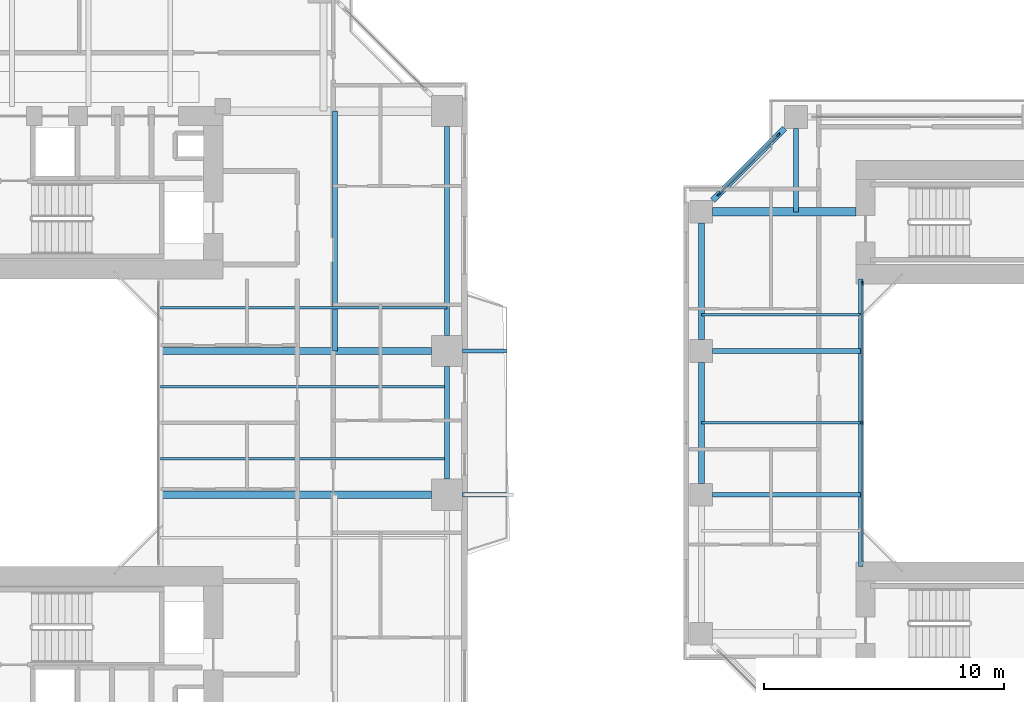
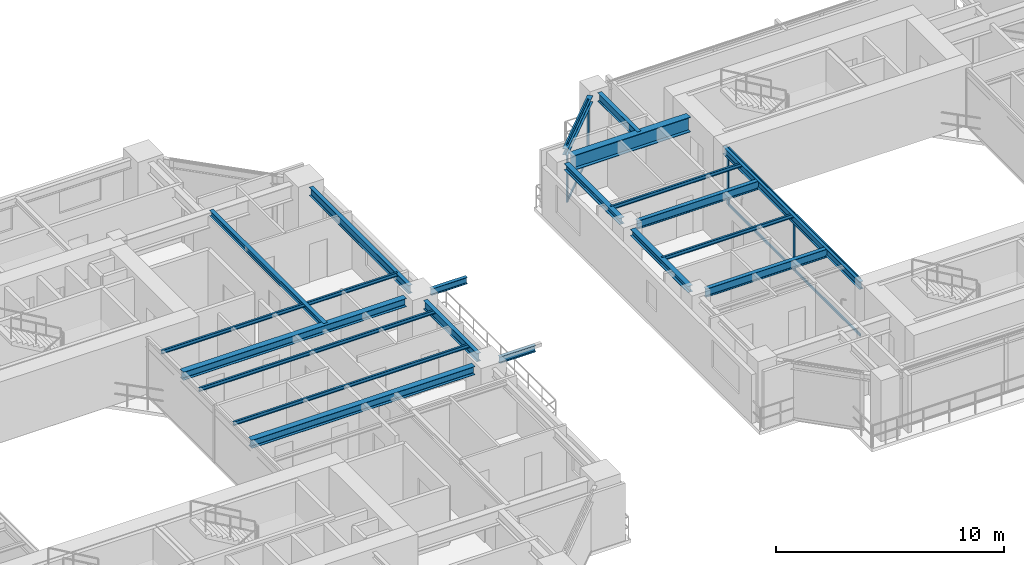
# One storey, part 7 of 22: 20 beams, 10 members, 2 elements without a shape of their own.
"""IFC4 building model written with IfcOpenShell, lengths in metres."""

from ifc_helpers import new_model, si_unit, direction, frame, origin, origin_2d, place, context, subcontext, project, spatial, rectangle, i_section, extrude, source, transform, mapped, material, layer, layer_set, material_profile, profile_set, type_object, element, aggregate, save


model = new_model("IFC4")

# Units and contexts
model_context = context("Model", 3, precision=1e-05, world=origin(), true_north=direction((0.0, 1.0)))
body_context = subcontext(model_context, "Body", "Model", "MODEL_VIEW")
ifc_project = project(units=[si_unit("LENGTHUNIT", "METRE"), si_unit("AREAUNIT", "SQUARE_METRE"), si_unit("VOLUMEUNIT", "CUBIC_METRE"), si_unit("PLANEANGLEUNIT", "RADIAN"), si_unit("MASSUNIT", "GRAM", prefix="KILO"), si_unit("THERMODYNAMICTEMPERATUREUNIT", "KELVIN"), si_unit("POWERUNIT", "WATT")], contexts=[model_context])

# Site, building, storey
site_placement = place(None, origin())
site = spatial("IfcSite", under=ifc_project, at=site_placement, CompositionType="ELEMENT")
building_placement = place(site_placement, origin())
building = spatial("IfcBuilding", under=site, at=building_placement, Name="Qiaomeng Ring Towers", CompositionType="ELEMENT")
storey_placement = place(building_placement, frame((0.0, 0.0, 53.5)))
storey = spatial("IfcBuildingStorey", under=building, at=storey_placement, Name="L14", CompositionType="ELEMENT", Elevation=53.5)

# Beams
ifc_material_1 = material(Name="Steel Q355B", Category="steel")
ifc_material_profile_1 = material_profile(ifc_material_1, i_section(OverallWidth=0.199951171875, OverallDepth=0.449951171875, WebThickness=0.009033203125, FlangeThickness=0.013916015625, FilletRadius=0.01806640625, at=origin_2d()), Name="HN 450x200x9x14")
ifc_profile_set_1 = profile_set([ifc_material_profile_1], Name="Steel Q355B")
beam_type_1 = type_object("IfcBeamType", Name="STR-BM-HN450", PredefinedType="SPANDREL", material=ifc_profile_set_1)
shared_shape_1 = source(origin(), body_context, "Body", "SweptSolid", [
    extrude(i_section(OverallWidth=0.199951171875, OverallDepth=0.449951171875, WebThickness=0.009033203125, FlangeThickness=0.013916015625, FilletRadius=0.01806640625, at=origin_2d()), origin(), (0.0, 0.0, 1.0), 8.7021484375),
])
beam_1_placement = place(storey_placement, frame((37.14990234375, 26.64892578125, 2.844970703125), z_axis=(0.0, 1.0, 0.0), x_axis=(-1.0, 0.0, 0.0)))
element("IfcBeam", 1, at=beam_1_placement, inside=storey, type_object=beam_type_1, Name="L14 beam STR-SP-L14-T1-E3-E4", PredefinedType="SPANDREL", context=body_context, shape_type="MappedRepresentation", body=[
    mapped(shared_shape_1, transform((0.0, 0.0, 0.0), x_axis=(1.0, 0.0, 0.0), y_axis=(0.0, 1.0, 0.0), z_axis=(0.0, 0.0, 1.0), scale=1.0)),
])
shared_shape_2 = source(origin(), body_context, "Body", "SweptSolid", [
    extrude(i_section(OverallWidth=0.199951171875, OverallDepth=0.449951171875, WebThickness=0.009033203125, FlangeThickness=0.013916015625, FilletRadius=0.01806640625, at=origin_2d()), origin(), (0.0, 0.0, 1.0), 4.7021484375),
])
beam_2_placement = place(storey_placement, frame((37.14990234375, 20.64892578125, 2.844970703125), z_axis=(0.0, 1.0, 0.0), x_axis=(-1.0, 0.0, 0.0)))
element("IfcBeam", 2, at=beam_2_placement, inside=storey, type_object=beam_type_1, Name="L14 beam STR-SP-L14-T1-E2-E3", PredefinedType="SPANDREL", context=body_context, shape_type="MappedRepresentation", body=[
    mapped(shared_shape_2, transform((0.0, 0.0, 0.0), x_axis=(1.0, 0.0, 0.0), y_axis=(0.0, 1.0, 0.0), z_axis=(0.0, 0.0, 1.0), scale=1.0)),
])
ifc_material_profile_2 = material_profile(ifc_material_1, i_section(OverallWidth=0.300048828125, OverallDepth=0.43994140625, WebThickness=0.010986328125, FlangeThickness=0.01806640625, FilletRadius=0.02392578125, at=origin_2d()), Name="HM 440x300x11x18")
ifc_profile_set_2 = profile_set([ifc_material_profile_2], Name="Steel Q355B")
beam_type_2 = type_object("IfcBeamType", Name="STR-BM-HM440", PredefinedType="BEAM", material=ifc_profile_set_2)
shared_shape_3 = source(origin(), body_context, "Body", "SweptSolid", [
    extrude(i_section(OverallWidth=0.300048828125, OverallDepth=0.43994140625, WebThickness=0.010986328125, FlangeThickness=0.01806640625, FilletRadius=0.02392578125, at=origin_2d()), origin(), (0.0, 0.0, 1.0), 11.301025390625),
])
for number, where, z_axis, x_axis, name in (
    (3, (25.199951171875, 20.0, 2.85009765625), (1.0, 0.0, 0.0), (0.0, 1.0, 0.0), "L14 beam STR-BM-L14-T1-RAD-E2"),
    (4, (25.199951171875, 26.0, 2.85009765625), (1.0, 0.0, 0.0), (0.0, 1.0, 0.0), "L14 beam STR-BM-L14-T1-RAD-E3"),
):
    element("IfcBeam", number, at=place(storey_placement, frame(where, z_axis=z_axis, x_axis=x_axis)), inside=storey, type_object=beam_type_2, Name=name, PredefinedType="BEAM", context=body_context, shape_type="MappedRepresentation", body=[
        mapped(shared_shape_3, transform((0.0, 0.0, 0.0), x_axis=(1.0, 0.0, 0.0), y_axis=(0.0, 1.0, 0.0), z_axis=(0.0, 0.0, 1.0), scale=1.0)),
    ])
ifc_material_profile_3 = material_profile(ifc_material_1, i_section(OverallWidth=0.175048828125, OverallDepth=0.35009765625, WebThickness=0.007080078125, FlangeThickness=0.010986328125, FilletRadius=0.013916015625, at=origin_2d()), Name="HN 350x175x7x11")
ifc_profile_set_3 = profile_set([ifc_material_profile_3], Name="Steel Q355B")
beam_type_3 = type_object("IfcBeamType", Name="STR-BM-HN350", PredefinedType="JOIST", material=ifc_profile_set_3)
shared_shape_4 = source(origin(), body_context, "Body", "SweptSolid", [
    extrude(i_section(OverallWidth=0.175048828125, OverallDepth=0.35009765625, WebThickness=0.007080078125, FlangeThickness=0.010986328125, FilletRadius=0.013916015625, at=origin_2d()), origin(), (0.0, 0.0, 1.0), 1.821044921875),
])
for number, where, z_axis, x_axis, name in (
    (5, (37.799072265625, 20.0, 2.89501953125), (1.0, 0.0, 0.0), (0.0, 1.0, 0.0), "L14 beam STR-BALBM-L14-E2"),
    (6, (37.799072265625, 26.0, 2.89501953125), (1.0, 0.0, 0.0), (0.0, 1.0, 0.0), "L14 beam STR-BALBM-L14-E3"),
):
    element("IfcBeam", number, at=place(storey_placement, frame(where, z_axis=z_axis, x_axis=x_axis)), inside=storey, type_object=beam_type_3, Name=name, PredefinedType="JOIST", context=body_context, shape_type="MappedRepresentation", body=[
        mapped(shared_shape_4, transform((0.0, 0.0, 0.0), x_axis=(1.0, 0.0, 0.0), y_axis=(0.0, 1.0, 0.0), z_axis=(0.0, 0.0, 1.0), scale=1.0)),
    ])
ifc_material_profile_4 = material_profile(ifc_material_1, i_section(OverallWidth=0.25, OverallDepth=0.340087890625, WebThickness=0.009033203125, FlangeThickness=0.013916015625, FilletRadius=0.02001953125, at=origin_2d()), Name="HM 340x250x9x14")
ifc_profile_set_4 = profile_set([ifc_material_profile_4], Name="Steel Q355B")
beam_type_4 = type_object("IfcBeamType", Name="STR-BM-HM340", PredefinedType="SPANDREL", material=ifc_profile_set_4)
shared_shape_5 = source(origin(), body_context, "Body", "SweptSolid", [
    extrude(i_section(OverallWidth=0.25, OverallDepth=0.340087890625, WebThickness=0.009033203125, FlangeThickness=0.013916015625, FilletRadius=0.02001953125, at=origin_2d()), origin(), (0.0, 0.0, 1.0), 4.244384765625),
])
beam_3_placement = place(storey_placement, frame((51.2255859375, 35.275634765625, 2.89990234375), z_axis=(-0.707106781187, -0.707106781187, 0.0), x_axis=(0.707106781187, -0.707106781187, 0.0)))
element("IfcBeam", 7, at=beam_3_placement, inside=storey, type_object=beam_type_4, Name="L14 beam STR-SP-L14-T2-N1-W4", PredefinedType="SPANDREL", context=body_context, shape_type="MappedRepresentation", body=[
    mapped(shared_shape_5, transform((0.0, 0.0, 0.0), x_axis=(1.0, 0.0, 0.0), y_axis=(0.0, 1.0, 0.0), z_axis=(0.0, 0.0, 1.0), scale=1.0)),
])
shared_shape_6 = source(origin(), body_context, "Body", "SweptSolid", [
    extrude(i_section(OverallWidth=0.25, OverallDepth=0.340087890625, WebThickness=0.009033203125, FlangeThickness=0.013916015625, FilletRadius=0.02001953125, at=origin_2d()), origin(), (0.0, 0.0, 1.0), 4.851806640625),
])
beam_4_placement = place(storey_placement, frame((47.75, 31.325927734375, 2.89990234375), z_axis=(0.0, -1.0, 0.0), x_axis=(1.0, 0.0, 0.0)))
element("IfcBeam", 8, at=beam_4_placement, inside=storey, type_object=beam_type_4, Name="L14 beam STR-SP-L14-T2-W4-W3", PredefinedType="SPANDREL", context=body_context, shape_type="MappedRepresentation", body=[
    mapped(shared_shape_6, transform((0.0, 0.0, 0.0), x_axis=(1.0, 0.0, 0.0), y_axis=(0.0, 1.0, 0.0), z_axis=(0.0, 0.0, 1.0), scale=1.0)),
])
shared_shape_7 = source(origin(), body_context, "Body", "SweptSolid", [
    extrude(i_section(OverallWidth=0.25, OverallDepth=0.340087890625, WebThickness=0.009033203125, FlangeThickness=0.013916015625, FilletRadius=0.02001953125, at=origin_2d()), origin(), (0.0, 0.0, 1.0), 5.0517578125),
])
beam_5_placement = place(storey_placement, frame((47.75, 25.52587890625, 2.89990234375), z_axis=(0.0, -1.0, 0.0), x_axis=(1.0, 0.0, 0.0)))
element("IfcBeam", 9, at=beam_5_placement, inside=storey, type_object=beam_type_4, Name="L14 beam STR-SP-L14-T2-W3-W2", PredefinedType="SPANDREL", context=body_context, shape_type="MappedRepresentation", body=[
    mapped(shared_shape_7, transform((0.0, 0.0, 0.0), x_axis=(1.0, 0.0, 0.0), y_axis=(0.0, 1.0, 0.0), z_axis=(0.0, 0.0, 1.0), scale=1.0)),
])
ifc_material_profile_5 = material_profile(ifc_material_1, i_section(OverallWidth=0.199951171875, OverallDepth=0.39990234375, WebThickness=0.008056640625, FlangeThickness=0.012939453125, FilletRadius=0.01611328125, at=origin_2d()), Name="HN 400x200x8x13")
ifc_profile_set_5 = profile_set([ifc_material_profile_5], Name="Steel Q355B")
beam_type_5 = type_object("IfcBeamType", Name="STR-BM-HN400", PredefinedType="SPANDREL", material=ifc_profile_set_5)
shared_shape_8 = source(origin(), body_context, "Body", "SweptSolid", [
    extrude(i_section(OverallWidth=0.199951171875, OverallDepth=0.39990234375, WebThickness=0.008056640625, FlangeThickness=0.012939453125, FilletRadius=0.01611328125, at=origin_2d()), origin(), (0.0, 0.0, 1.0), 12.0),
])
beam_6_placement = place(storey_placement, frame((54.39990234375, 17.0, 2.8701171875), z_axis=(0.0, 1.0, 0.0), x_axis=(-1.0, 0.0, 0.0)))
element("IfcBeam", 10, at=beam_6_placement, inside=storey, type_object=beam_type_5, Name="L14 beam STR-BM-L14-T2-WELL-W", PredefinedType="SPANDREL", context=body_context, shape_type="MappedRepresentation", body=[
    mapped(shared_shape_8, transform((0.0, 0.0, 0.0), x_axis=(1.0, 0.0, 0.0), y_axis=(0.0, 1.0, 0.0), z_axis=(0.0, 0.0, 1.0), scale=1.0)),
])
ifc_material_2 = material(Name="Steel Q390GJC", Category="steel")
ifc_material_profile_6 = material_profile(ifc_material_2, i_section(OverallWidth=0.35009765625, OverallDepth=0.800048828125, WebThickness=0.01611328125, FlangeThickness=0.028076171875, at=origin_2d()), Name="WH 800x350x16x28")
ifc_profile_set_6 = profile_set([ifc_material_profile_6], Name="Steel Q390GJC")
beam_type_6 = type_object("IfcBeamType", Name="STR-BM-WH800", PredefinedType="BEAM", material=ifc_profile_set_6)
shared_shape_9 = source(origin(), body_context, "Body", "SweptSolid", [
    extrude(i_section(OverallWidth=0.35009765625, OverallDepth=0.800048828125, WebThickness=0.01611328125, FlangeThickness=0.028076171875, at=origin_2d()), origin(), (0.0, 0.0, 1.0), 5.975830078125),
])
beam_7_placement = place(storey_placement, frame((48.22412109375, 31.800048828125, 2.669921875), z_axis=(1.0, 0.0, 0.0), x_axis=(0.0, 1.0, 0.0)))
element("IfcBeam", 11, at=beam_7_placement, inside=storey, type_object=beam_type_6, Name="L14 beam STR-BM-L14-T2-RAD-W4", PredefinedType="BEAM", context=body_context, shape_type="MappedRepresentation", body=[
    mapped(shared_shape_9, transform((0.0, 0.0, 0.0), x_axis=(1.0, 0.0, 0.0), y_axis=(0.0, 1.0, 0.0), z_axis=(0.0, 0.0, 1.0), scale=1.0)),
])
shared_shape_10 = source(origin(), body_context, "Body", "SweptSolid", [
    extrude(i_section(OverallWidth=0.199951171875, OverallDepth=0.449951171875, WebThickness=0.009033203125, FlangeThickness=0.013916015625, FilletRadius=0.01806640625, at=origin_2d()), origin(), (0.0, 0.0, 1.0), 6.17578125),
])
for number, where, z_axis, x_axis, name in (
    (12, (48.22412109375, 20.0, 2.844970703125), (1.0, 0.0, 0.0), (0.0, 1.0, 0.0), "L14 beam STR-BM-L14-T2-RAD-W2"),
    (13, (48.22412109375, 26.0, 2.844970703125), (1.0, 0.0, 0.0), (0.0, 1.0, 0.0), "L14 beam STR-BM-L14-T2-RAD-W3"),
):
    element("IfcBeam", number, at=place(storey_placement, frame(where, z_axis=z_axis, x_axis=x_axis)), inside=storey, type_object=beam_type_1, Name=name, PredefinedType="SPANDREL", context=body_context, shape_type="MappedRepresentation", body=[
        mapped(shared_shape_10, transform((0.0, 0.0, 0.0), x_axis=(1.0, 0.0, 0.0), y_axis=(0.0, 1.0, 0.0), z_axis=(0.0, 0.0, 1.0), scale=1.0)),
    ])
shared_shape_11 = source(origin(), body_context, "Body", "SweptSolid", [
    extrude(i_section(OverallWidth=0.199951171875, OverallDepth=0.449951171875, WebThickness=0.009033203125, FlangeThickness=0.013916015625, FilletRadius=0.01806640625, at=origin_2d()), origin(), (0.0, 0.0, 1.0), 3.475830078125),
])
beam_8_placement = place(storey_placement, frame((51.699951171875, 35.27587890625, 2.844970703125), z_axis=(0.0, -1.0, 0.0), x_axis=(1.0, 0.0, 0.0)))
element("IfcBeam", 14, at=beam_8_placement, inside=storey, type_object=beam_type_1, Name="L14 beam STR-BM-L14-T2-RAD-N1", PredefinedType="SPANDREL", context=body_context, shape_type="MappedRepresentation", body=[
    mapped(shared_shape_11, transform((0.0, 0.0, 0.0), x_axis=(1.0, 0.0, 0.0), y_axis=(0.0, 1.0, 0.0), z_axis=(0.0, 0.0, 1.0), scale=1.0)),
])
ifc_material_profile_7 = material_profile(ifc_material_1, i_section(OverallWidth=0.10009765625, OverallDepth=0.199951171875, WebThickness=0.005615234375, FlangeThickness=0.008056640625, FilletRadius=0.010986328125, at=origin_2d()), Name="HN 200x100x5.5x8")
ifc_profile_set_7 = profile_set([ifc_material_profile_7], Name="Steel Q355B")
beam_type_7 = type_object("IfcBeamType", Name="STR-BM-HN200", PredefinedType="JOIST", material=ifc_profile_set_7)
shared_shape_12 = source(origin(), body_context, "Body", "SweptSolid", [
    extrude(i_section(OverallWidth=0.10009765625, OverallDepth=0.199951171875, WebThickness=0.005615234375, FlangeThickness=0.008056640625, FilletRadius=0.010986328125, at=origin_2d()), origin(), (0.0, 0.0, 1.0), 11.949951171875),
])
for number, where, z_axis, x_axis, name in (
    (15, (25.199951171875, 21.5, 2.969970703125), (1.0, 0.0, 0.0), (0.0, 1.0, 0.0), "L14 beam STR-JST-L14-T1E-2"),
    (16, (25.199951171875, 24.5, 2.969970703125), (1.0, 0.0, 0.0), (0.0, 1.0, 0.0), "L14 beam STR-JST-L14-T1E-3"),
    (17, (25.199951171875, 27.800048828125, 2.969970703125), (1.0, 0.0, 0.0), (0.0, 1.0, 0.0), "L14 beam STR-JST-L14-T1E-4"),
):
    element("IfcBeam", number, at=place(storey_placement, frame(where, z_axis=z_axis, x_axis=x_axis)), inside=storey, type_object=beam_type_7, Name=name, PredefinedType="JOIST", context=body_context, shape_type="MappedRepresentation", body=[
        mapped(shared_shape_12, transform((0.0, 0.0, 0.0), x_axis=(1.0, 0.0, 0.0), y_axis=(0.0, 1.0, 0.0), z_axis=(0.0, 0.0, 1.0), scale=1.0)),
    ])
ifc_material_profile_8 = material_profile(ifc_material_1, i_section(OverallWidth=0.199951171875, OverallDepth=0.2939453125, WebThickness=0.008056640625, FlangeThickness=0.011962890625, FilletRadius=0.01806640625, at=origin_2d()), Name="HM 294x200x8x12")
ifc_profile_set_8 = profile_set([ifc_material_profile_8], Name="Steel Q355B")
beam_type_8 = type_object("IfcBeamType", Name="STR-BM-HM294", PredefinedType="JOIST", material=ifc_profile_set_8)
shared_shape_13 = source(origin(), body_context, "Body", "SweptSolid", [
    extrude(i_section(OverallWidth=0.199951171875, OverallDepth=0.2939453125, WebThickness=0.008056640625, FlangeThickness=0.011962890625, FilletRadius=0.01806640625, at=origin_2d()), origin(), (0.0, 0.0, 1.0), 10.0),
])
beam_9_placement = place(storey_placement, frame((32.47509765625, 26.0, 2.923095703125), z_axis=(0.0, 1.0, 0.0), x_axis=(-1.0, 0.0, 0.0)))
element("IfcBeam", 18, at=beam_9_placement, inside=storey, type_object=beam_type_8, Name="L14 beam STR-JST-L14-T1C-EN", PredefinedType="JOIST", context=body_context, shape_type="MappedRepresentation", body=[
    mapped(shared_shape_13, transform((0.0, 0.0, 0.0), x_axis=(1.0, 0.0, 0.0), y_axis=(0.0, 1.0, 0.0), z_axis=(0.0, 0.0, 1.0), scale=1.0)),
])
shared_shape_14 = source(origin(), body_context, "Body", "SweptSolid", [
    extrude(i_section(OverallWidth=0.10009765625, OverallDepth=0.199951171875, WebThickness=0.005615234375, FlangeThickness=0.008056640625, FilletRadius=0.010986328125, at=origin_2d()), origin(), (0.0, 0.0, 1.0), 6.64990234375),
])
for number, where, z_axis, x_axis, name in (
    (19, (47.75, 23.0, 2.969970703125), (1.0, 0.0, 0.0), (0.0, 1.0, 0.0), "L14 beam STR-JST-L14-T2W-2"),
    (20, (47.75, 27.5, 2.969970703125), (1.0, 0.0, 0.0), (0.0, 1.0, 0.0), "L14 beam STR-JST-L14-T2W-3"),
):
    element("IfcBeam", number, at=place(storey_placement, frame(where, z_axis=z_axis, x_axis=x_axis)), inside=storey, type_object=beam_type_7, Name=name, PredefinedType="JOIST", context=body_context, shape_type="MappedRepresentation", body=[
        mapped(shared_shape_14, transform((0.0, 0.0, 0.0), x_axis=(1.0, 0.0, 0.0), y_axis=(0.0, 1.0, 0.0), z_axis=(0.0, 0.0, 1.0), scale=1.0)),
    ])

# Curtain wall, members
ifc_material_3 = material(Name="Fluorocarbon dark-grey aluminium", Category="aluminium")
ifc_layer_1 = layer(ifc_material_3, 0.139892578125, Name="Fluorocarbon dark-grey aluminium")
ifc_layer_set_1 = layer_set([ifc_layer_1], Name="Fluorocarbon dark-grey aluminium")
curtain_wall_type_1 = type_object("IfcCurtainWallType", Name="ARC-CW-4", PredefinedType="NOTDEFINED", material=ifc_layer_set_1)
curtain_wall_1_placement = place(storey_placement, origin())
curtain_wall_1 = element("IfcCurtainWall", 21, at=curtain_wall_1_placement, inside=storey, type_object=curtain_wall_type_1, Name="L14 Curtain Wall CW4", PredefinedType="NOTDEFINED")
ifc_material_profile_9 = material_profile(ifc_material_3, rectangle(XDim=0.06494140625, YDim=0.159912109375, at=origin_2d()), Name="ALU MULL 65x160")
ifc_profile_set_9 = profile_set([ifc_material_profile_9], Name="Fluorocarbon dark-grey aluminium")
member_type_1 = type_object("IfcMemberType", Name="ARC-CWM-140", PredefinedType="MULLION", material=ifc_profile_set_9)
shared_shape_15 = source(origin(), body_context, "Body", "SweptSolid", [
    extrude(rectangle(XDim=0.06494140625, YDim=0.159912109375, at=origin_2d()), origin(), (0.0, 0.0, 1.0), 3.070068359375),
])
member_1_placement = place(storey_placement, frame((54.47998046875, 23.0, 0.0), z_axis=(0.0, 0.0, 1.0), x_axis=(-1.0, 0.0, 0.0)))
member_1 = element("IfcMember", 22, at=member_1_placement, type_object=member_type_1, Name="CW4 mullion 2", PredefinedType="MULLION", context=body_context, shape_type="MappedRepresentation", body=[
    mapped(shared_shape_15, transform((0.0, 0.0, 0.0), x_axis=(1.0, 0.0, 0.0), y_axis=(0.0, 1.0, 0.0), z_axis=(0.0, 0.0, 1.0), scale=1.0)),
])
member_2_placement = place(storey_placement, frame((54.47998046875, 28.8173828125, 0.0), z_axis=(0.0, 0.0, 1.0), x_axis=(-1.0, 0.0, 0.0)))
member_2 = element("IfcMember", 23, at=member_2_placement, type_object=member_type_1, Name="CW4 mullion 3", PredefinedType="MULLION", context=body_context, shape_type="MappedRepresentation", body=[
    mapped(shared_shape_15, transform((0.0, 0.0, 0.0), x_axis=(1.0, 0.0, 0.0), y_axis=(0.0, 1.0, 0.0), z_axis=(0.0, 0.0, 1.0), scale=1.0)),
])
ifc_material_profile_10 = material_profile(ifc_material_3, rectangle(XDim=0.06494140625, YDim=0.1298828125, at=origin_2d()), Name="ALU TRAN 65x130")
ifc_profile_set_10 = profile_set([ifc_material_profile_10], Name="Fluorocarbon dark-grey aluminium")
member_type_2 = type_object("IfcMemberType", Name="ARC-CWT-120", PredefinedType="USERDEFINED", material=ifc_profile_set_10)
shared_shape_16 = source(origin(), body_context, "Body", "SweptSolid", [
    extrude(rectangle(XDim=0.06494140625, YDim=0.1298828125, at=origin_2d()), origin(), (0.0, 0.0, 1.0), 5.75244140625),
])
member_3_placement = place(storey_placement, frame((54.47998046875, 17.215087890625, 0.032470703125), z_axis=(0.0, 1.0, 0.0), x_axis=(-1.0, 0.0, 0.0)))
member_3 = element("IfcMember", 24, at=member_3_placement, type_object=member_type_2, Name="CW4 transom 1.1", ObjectType="TRANSOM", PredefinedType="USERDEFINED", context=body_context, shape_type="MappedRepresentation", body=[
    mapped(shared_shape_16, transform((0.0, 0.0, 0.0), x_axis=(1.0, 0.0, 0.0), y_axis=(0.0, 1.0, 0.0), z_axis=(0.0, 0.0, 1.0), scale=1.0)),
])
member_4_placement = place(storey_placement, frame((54.47998046875, 17.215087890625, 3.03759765625), z_axis=(0.0, 1.0, 0.0), x_axis=(-1.0, 0.0, 0.0)))
member_4 = element("IfcMember", 25, at=member_4_placement, type_object=member_type_2, Name="CW4 transom 1.2", ObjectType="TRANSOM", PredefinedType="USERDEFINED", context=body_context, shape_type="MappedRepresentation", body=[
    mapped(shared_shape_16, transform((0.0, 0.0, 0.0), x_axis=(1.0, 0.0, 0.0), y_axis=(0.0, 1.0, 0.0), z_axis=(0.0, 0.0, 1.0), scale=1.0)),
])
member_5_placement = place(storey_placement, frame((54.47998046875, 23.032470703125, 0.032470703125), z_axis=(0.0, 1.0, 0.0), x_axis=(-1.0, 0.0, 0.0)))
member_5 = element("IfcMember", 26, at=member_5_placement, type_object=member_type_2, Name="CW4 transom 2.1", ObjectType="TRANSOM", PredefinedType="USERDEFINED", context=body_context, shape_type="MappedRepresentation", body=[
    mapped(shared_shape_16, transform((0.0, 0.0, 0.0), x_axis=(1.0, 0.0, 0.0), y_axis=(0.0, 1.0, 0.0), z_axis=(0.0, 0.0, 1.0), scale=1.0)),
])
member_6_placement = place(storey_placement, frame((54.47998046875, 23.032470703125, 3.03759765625), z_axis=(0.0, 1.0, 0.0), x_axis=(-1.0, 0.0, 0.0)))
member_6 = element("IfcMember", 27, at=member_6_placement, type_object=member_type_2, Name="CW4 transom 2.2", ObjectType="TRANSOM", PredefinedType="USERDEFINED", context=body_context, shape_type="MappedRepresentation", body=[
    mapped(shared_shape_16, transform((0.0, 0.0, 0.0), x_axis=(1.0, 0.0, 0.0), y_axis=(0.0, 1.0, 0.0), z_axis=(0.0, 0.0, 1.0), scale=1.0)),
])
aggregate(curtain_wall_1, [member_1, member_2, member_3, member_4, member_5, member_6])

ifc_layer_2 = layer(ifc_material_3, 0.14990234375, Name="Fluorocarbon dark-grey aluminium")
ifc_layer_set_2 = layer_set([ifc_layer_2], Name="Fluorocarbon dark-grey aluminium")
curtain_wall_type_2 = type_object("IfcCurtainWallType", Name="ARC-CW-5", PredefinedType="NOTDEFINED", material=ifc_layer_set_2)
curtain_wall_2_placement = place(storey_placement, origin())
curtain_wall_2 = element("IfcCurtainWall", 28, at=curtain_wall_2_placement, inside=storey, type_object=curtain_wall_type_2, Name="L14 Curtain Wall CW5", PredefinedType="NOTDEFINED")
ifc_material_profile_11 = material_profile(ifc_material_3, rectangle(XDim=0.070068359375, YDim=0.179931640625, at=origin_2d()), Name="ALU MULL 70x180")
ifc_profile_set_11 = profile_set([ifc_material_profile_11], Name="Fluorocarbon dark-grey aluminium")
member_type_3 = type_object("IfcMemberType", Name="ARC-CWM-160", PredefinedType="MULLION", material=ifc_profile_set_11)
shared_shape_17 = source(origin(), body_context, "Body", "SweptSolid", [
    extrude(rectangle(XDim=0.070068359375, YDim=0.179931640625, at=origin_2d()), origin(), (0.0, 0.0, 1.0), 3.070068359375),
])
member_7_placement = place(storey_placement, frame((50.960205078125, 35.01025390625, 0.0), z_axis=(0.0, 0.0, 1.0), x_axis=(0.707106781187, -0.707106781187, 0.0)))
member_7 = element("IfcMember", 29, at=member_7_placement, type_object=member_type_3, Name="CW5 mullion 1", PredefinedType="MULLION", context=body_context, shape_type="MappedRepresentation", body=[
    mapped(shared_shape_17, transform((0.0, 0.0, 0.0), x_axis=(1.0, 0.0, 0.0), y_axis=(0.0, 1.0, 0.0), z_axis=(0.0, 0.0, 1.0), scale=1.0)),
])
member_8_placement = place(storey_placement, frame((48.48974609375, 32.539794921875, 0.0), z_axis=(0.0, 0.0, 1.0), x_axis=(0.707106781187, -0.707106781187, 0.0)))
member_8 = element("IfcMember", 30, at=member_8_placement, type_object=member_type_3, Name="CW5 mullion 2", PredefinedType="MULLION", context=body_context, shape_type="MappedRepresentation", body=[
    mapped(shared_shape_17, transform((0.0, 0.0, 0.0), x_axis=(1.0, 0.0, 0.0), y_axis=(0.0, 1.0, 0.0), z_axis=(0.0, 0.0, 1.0), scale=1.0)),
])
shared_shape_18 = source(origin(), body_context, "Body", "SweptSolid", [
    extrude(rectangle(XDim=0.06494140625, YDim=0.1298828125, at=origin_2d()), origin(), (0.0, 0.0, 1.0), 3.424072265625),
])
member_9_placement = place(storey_placement, frame((50.935546875, 34.985595703125, 0.032470703125), z_axis=(-0.707106781187, -0.707106781187, 0.0), x_axis=(0.707106781187, -0.707106781187, 0.0)))
member_9 = element("IfcMember", 31, at=member_9_placement, type_object=member_type_2, Name="CW5 transom 1.1", ObjectType="TRANSOM", PredefinedType="USERDEFINED", context=body_context, shape_type="MappedRepresentation", body=[
    mapped(shared_shape_18, transform((0.0, 0.0, 0.0), x_axis=(1.0, 0.0, 0.0), y_axis=(0.0, 1.0, 0.0), z_axis=(0.0, 0.0, 1.0), scale=1.0)),
])
member_10_placement = place(storey_placement, frame((50.935546875, 34.985595703125, 3.03759765625), z_axis=(-0.707106781187, -0.707106781187, 0.0), x_axis=(0.707106781187, -0.707106781187, 0.0)))
member_10 = element("IfcMember", 32, at=member_10_placement, type_object=member_type_2, Name="CW5 transom 1.2", ObjectType="TRANSOM", PredefinedType="USERDEFINED", context=body_context, shape_type="MappedRepresentation", body=[
    mapped(shared_shape_18, transform((0.0, 0.0, 0.0), x_axis=(1.0, 0.0, 0.0), y_axis=(0.0, 1.0, 0.0), z_axis=(0.0, 0.0, 1.0), scale=1.0)),
])
aggregate(curtain_wall_2, [member_7, member_8, member_9, member_10])

save(model, "model.ifc")
